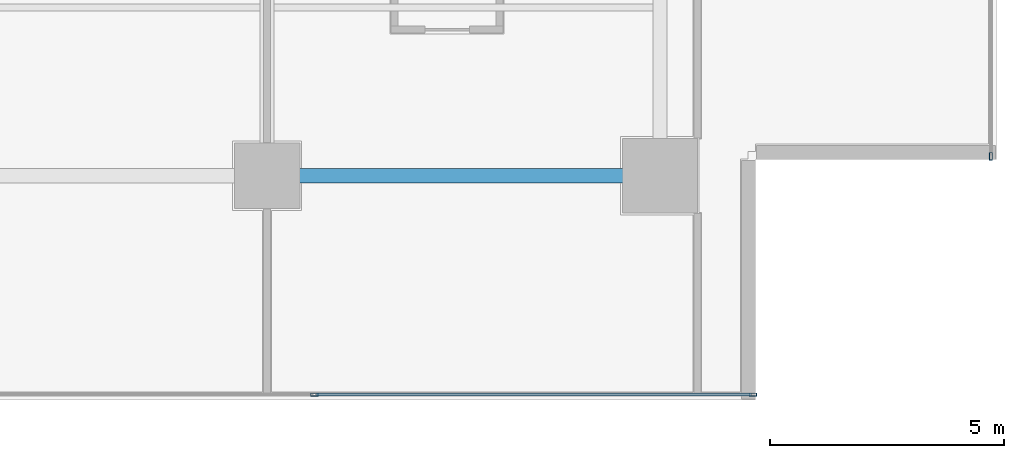
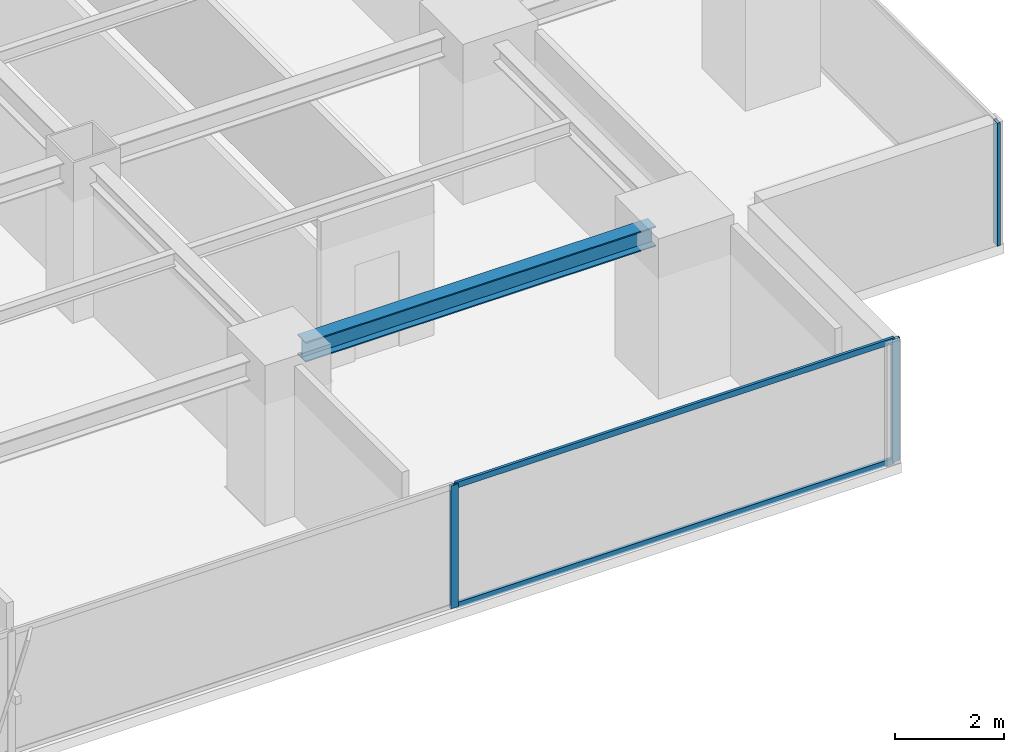
# One storey, part 9 of 28: 5 members, 1 beam, 2 elements without a shape of their own.
"""IFC4 building model written with IfcOpenShell, lengths in metres."""

from ifc_helpers import new_model, si_unit, direction, frame, origin, origin_2d, place, context, subcontext, project, spatial, hollow_rectangle, i_section, extrude, source, transform, mapped, material, layer, layer_set, material_profile, profile_set, type_object, element, aggregate, save


model = new_model("IFC4")

# Units and contexts
model_context = context("Model", 3, precision=1e-05, world=origin(), true_north=direction((0.0, 1.0)))
body_context = subcontext(model_context, "Body", "Model", "MODEL_VIEW")
ifc_project = project(units=[si_unit("LENGTHUNIT", "METRE"), si_unit("AREAUNIT", "SQUARE_METRE"), si_unit("VOLUMEUNIT", "CUBIC_METRE"), si_unit("PLANEANGLEUNIT", "RADIAN"), si_unit("MASSUNIT", "GRAM", prefix="KILO")], contexts=[model_context])

# Site, building, storey
site_placement = place(None, origin())
site = spatial("IfcSite", under=ifc_project, at=site_placement, CompositionType="ELEMENT")
building_placement = place(site_placement, origin())
building = spatial("IfcBuilding", under=site, at=building_placement, Name="Sumidabori Civic Tower", CompositionType="ELEMENT")
storey_placement = place(building_placement, frame((0.0, 0.0, 149.60009765625)))
storey = spatial("IfcBuildingStorey", under=building, at=storey_placement, Name="L38", CompositionType="ELEMENT", Elevation=149.60009765625)

# Beam
ifc_material_1 = material(Name="Steel SN490", Category="steel")
ifc_material_profile_1 = material_profile(ifc_material_1, i_section(OverallWidth=0.300048828125, OverallDepth=0.449951171875, WebThickness=0.013916015625, FlangeThickness=0.02587890625, at=origin_2d()), Name="HE 450 B")
ifc_profile_set_1 = profile_set([ifc_material_profile_1], Name="Steel SN490")
beam_type = type_object("IfcBeamType", Name="BM-GIRD-450", PredefinedType="BEAM", material=ifc_profile_set_1)
shared_shape_1 = source(origin(), body_context, "Body", "SweptSolid", [
    extrude(i_section(OverallWidth=0.300048828125, OverallDepth=0.449951171875, WebThickness=0.013916015625, FlangeThickness=0.02587890625, at=origin_2d()), origin(), (0.0, 0.0, 1.0), 7.440185546875),
])
beam_placement = place(storey_placement, frame((8.8798828125, -18.0, 3.15478515625), z_axis=(1.0, 0.0, 0.0), x_axis=(0.0, 1.0, 0.0)))
element("IfcBeam", 1, at=beam_placement, inside=storey, type_object=beam_type, Name="Primary Girder L38 GX-04", PredefinedType="BEAM", context=body_context, shape_type="MappedRepresentation", body=[
    mapped(shared_shape_1, transform((0.0, 0.0, 0.0), x_axis=(1.0, 0.0, 0.0), y_axis=(0.0, 1.0, 0.0), z_axis=(0.0, 0.0, 1.0), scale=1.0)),
])

# Curtain wall, members
ifc_material_2 = material(Name="Anodised Bronze Aluminium AW-6063-T6", Category="aluminium")
ifc_layer = layer(ifc_material_2, 0.179931640625, Name="Anodised Bronze Aluminium AW-6063-T6")
ifc_layer_set = layer_set([ifc_layer], Name="Anodised Bronze Aluminium AW-6063-T6")
curtain_wall_type = type_object("IfcCurtainWallType", Name="CW-SYS-3", PredefinedType="NOTDEFINED", material=ifc_layer_set)
curtain_wall_1_placement = place(storey_placement, origin())
curtain_wall_1 = element("IfcCurtainWall", 2, at=curtain_wall_1_placement, inside=storey, type_object=curtain_wall_type, Name="Curtain Wall CW:L38:R01", PredefinedType="NOTDEFINED")
ifc_material_profile_2 = material_profile(ifc_material_2, hollow_rectangle(XDim=0.06494140625, YDim=0.159912109375, WallThickness=0.0048828125, at=origin_2d()), Name="ALU MULLION 160x65")
ifc_profile_set_2 = profile_set([ifc_material_profile_2], Name="Anodised Bronze Aluminium AW-6063-T6")
member_type_1 = type_object("IfcMemberType", Name="CW-MUL-160", PredefinedType="MULLION", material=ifc_profile_set_2)
shared_shape_2 = source(origin(), body_context, "Body", "SweptSolid", [
    extrude(hollow_rectangle(XDim=0.06494140625, YDim=0.159912109375, WallThickness=0.0048828125, at=origin_2d()), origin(), (0.0, 0.0, 1.0), 2.760009765625),
])
member_1_placement = place(storey_placement, frame((9.409912109375, -22.679931640625, 0.0), z_axis=(0.0, 0.0, 1.0), x_axis=(0.0, 1.0, 0.0)))
member_1 = element("IfcMember", 3, at=member_1_placement, type_object=member_type_1, Name="CW-3 mullion 4", PredefinedType="MULLION", context=body_context, shape_type="MappedRepresentation", body=[
    mapped(shared_shape_2, transform((0.0, 0.0, 0.0), x_axis=(1.0, 0.0, 0.0), y_axis=(0.0, 1.0, 0.0), z_axis=(0.0, 0.0, 1.0), scale=1.0)),
])
member_2_placement = place(storey_placement, frame((18.78759765625, -22.679931640625, 0.0), z_axis=(0.0, 0.0, 1.0), x_axis=(0.0, 1.0, 0.0)))
member_2 = element("IfcMember", 4, at=member_2_placement, type_object=member_type_1, Name="CW-3 mullion 5", PredefinedType="MULLION", context=body_context, shape_type="MappedRepresentation", body=[
    mapped(shared_shape_2, transform((0.0, 0.0, 0.0), x_axis=(1.0, 0.0, 0.0), y_axis=(0.0, 1.0, 0.0), z_axis=(0.0, 0.0, 1.0), scale=1.0)),
])

# Curtain wall, member
curtain_wall_2_placement = place(storey_placement, origin())
curtain_wall_2 = element("IfcCurtainWall", 5, at=curtain_wall_2_placement, inside=storey, type_object=curtain_wall_type, Name="Curtain Wall CW:L38:R04", PredefinedType="NOTDEFINED")
member_3_placement = place(storey_placement, frame((23.8798828125, -17.58740234375, 0.0), z_axis=(0.0, 0.0, 1.0), x_axis=(-1.0, 0.0, 0.0)))
member_3 = element("IfcMember", 6, at=member_3_placement, type_object=member_type_1, Name="CW-3 mullion 1", PredefinedType="MULLION", context=body_context, shape_type="MappedRepresentation", body=[
    mapped(shared_shape_2, transform((0.0, 0.0, 0.0), x_axis=(1.0, 0.0, 0.0), y_axis=(0.0, 1.0, 0.0), z_axis=(0.0, 0.0, 1.0), scale=1.0)),
])
aggregate(curtain_wall_2, [member_3])

# Member
ifc_material_profile_3 = material_profile(ifc_material_2, hollow_rectangle(XDim=0.06005859375, YDim=0.1298828125, WallThickness=0.0048828125, at=origin_2d()), Name="ALU TRANSOM 130x60")
ifc_profile_set_3 = profile_set([ifc_material_profile_3], Name="Anodised Bronze Aluminium AW-6063-T6")
member_type_2 = type_object("IfcMemberType", Name="CW-TRN-130", PredefinedType="USERDEFINED", material=ifc_profile_set_3)
shared_shape_3 = source(origin(), body_context, "Body", "SweptSolid", [
    extrude(hollow_rectangle(XDim=0.06005859375, YDim=0.1298828125, WallThickness=0.0048828125, at=origin_2d()), origin(), (0.0, 0.0, 1.0), 9.3125),
])
member_4_placement = place(storey_placement, frame((9.4423828125, -22.679931640625, 0.02978515625), z_axis=(1.0, 0.0, 0.0), x_axis=(0.0, 1.0, 0.0)))
member_4 = element("IfcMember", 7, at=member_4_placement, type_object=member_type_2, Name="CW-3 transom 4.1", ObjectType="TRANSOM", PredefinedType="USERDEFINED", context=body_context, shape_type="MappedRepresentation", body=[
    mapped(shared_shape_3, transform((0.0, 0.0, 0.0), x_axis=(1.0, 0.0, 0.0), y_axis=(0.0, 1.0, 0.0), z_axis=(0.0, 0.0, 1.0), scale=1.0)),
])

member_5_placement = place(storey_placement, frame((9.4423828125, -22.679931640625, 2.72998046875), z_axis=(1.0, 0.0, 0.0), x_axis=(0.0, 1.0, 0.0)))
member_5 = element("IfcMember", 8, at=member_5_placement, type_object=member_type_2, Name="CW-3 transom 4.2", ObjectType="TRANSOM", PredefinedType="USERDEFINED", context=body_context, shape_type="MappedRepresentation", body=[
    mapped(shared_shape_3, transform((0.0, 0.0, 0.0), x_axis=(1.0, 0.0, 0.0), y_axis=(0.0, 1.0, 0.0), z_axis=(0.0, 0.0, 1.0), scale=1.0)),
])

aggregate(curtain_wall_1, [member_1, member_2, member_4, member_5])

save(model, "model.ifc")
